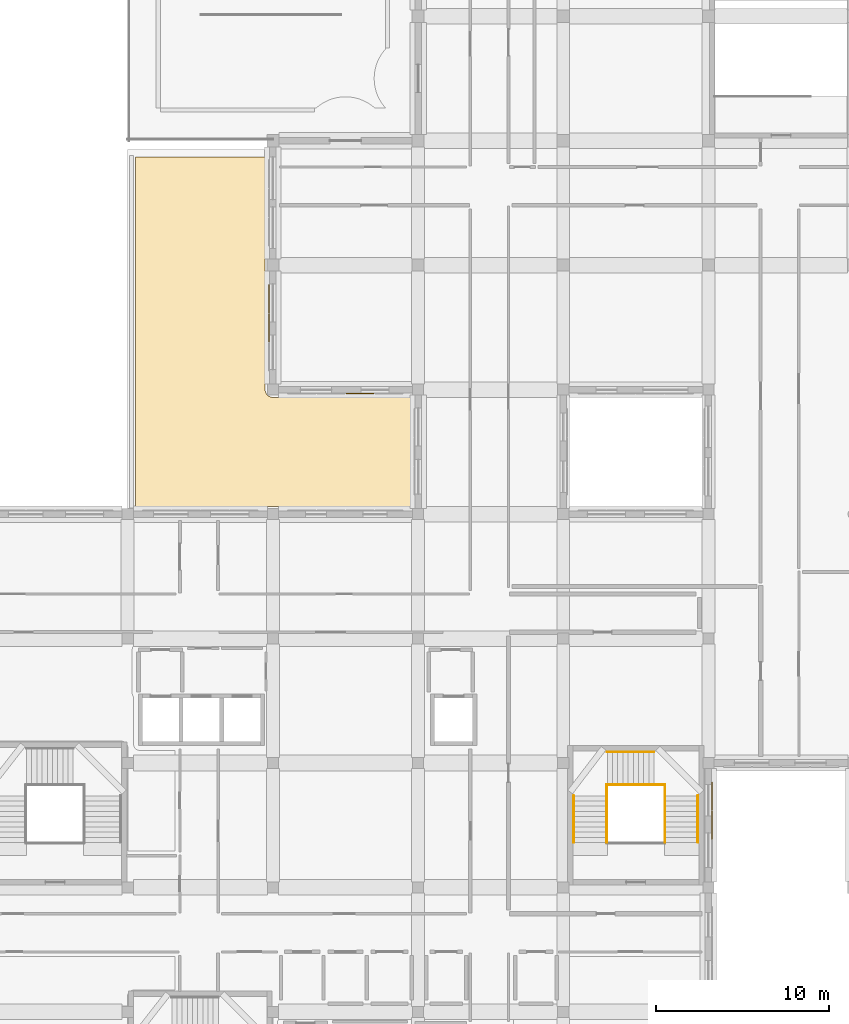
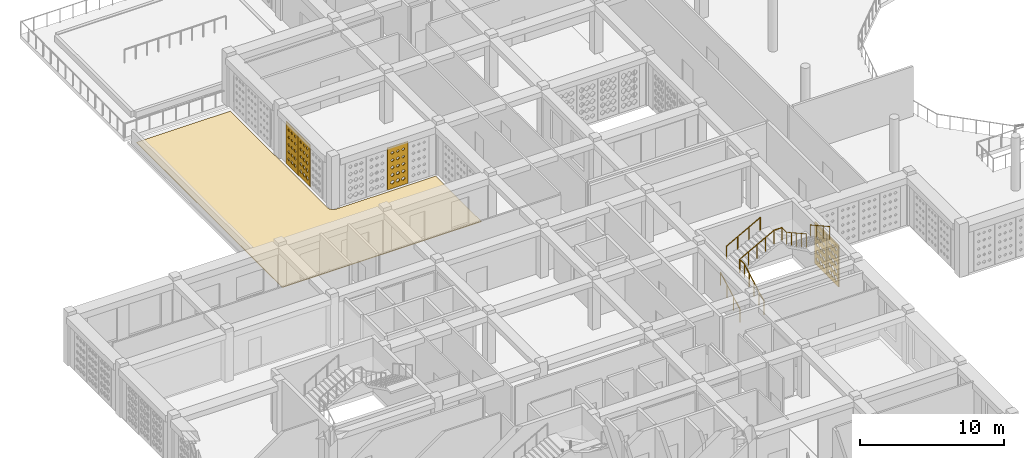
# One storey, part 30 of 47: 6 coverings, 6 railings.
"""IFC4 building model written with IfcOpenShell, lengths in metres."""

from ifc_helpers import new_model, si_unit, derived_unit, direction, frame, origin, origin_2d, place, context, subcontext, project, spatial, polyline, circle, outline, extrude, material, layer, layer_set, type_object, element, save


model = new_model("IFC4")

# Units and contexts
model_context = context("Model", 3, precision=1e-05, world=origin(), true_north=direction((0.0, 1.0)))
body_context = subcontext(model_context, "Body", "Model", "MODEL_VIEW")
ifc_project = project(units=[si_unit("LENGTHUNIT", "METRE"), si_unit("AREAUNIT", "SQUARE_METRE"), si_unit("VOLUMEUNIT", "CUBIC_METRE"), si_unit("PLANEANGLEUNIT", "RADIAN"), si_unit("MASSUNIT", "GRAM", prefix="KILO"), derived_unit("THERMALTRANSMITTANCEUNIT", [(si_unit("POWERUNIT", "WATT"), 1), (si_unit("LENGTHUNIT", "METRE"), -2), (si_unit("THERMODYNAMICTEMPERATUREUNIT", "KELVIN"), -1)])], contexts=[model_context])

# Site, building, storey
site_placement = place(None, origin())
site = spatial("IfcSite", under=ifc_project, at=site_placement, CompositionType="ELEMENT")
building_placement = place(site_placement, origin())
building = spatial("IfcBuilding", under=site, at=building_placement, Name="Veybourne Emporium", CompositionType="ELEMENT")
storey_placement = place(building_placement, frame((0.0, 0.0, 23.39990234375)))
storey = spatial("IfcBuildingStorey", under=building, at=storey_placement, Name="L05", CompositionType="ELEMENT", Elevation=23.39990234375)

# Railings
ifc_material_1 = material(Name="Brushed Stainless Steel", Category="steel")
railing_type_1 = type_object("IfcRailingType", Name="Guard_GR-01", PredefinedType="GUARDRAIL", material=ifc_material_1)
railing_1_placement = place(storey_placement, frame((44.510009765625, 31.39990234375, 0.0)))
element("IfcRailing", 1, at=railing_1_placement, inside=storey, type_object=railing_type_1, Name="L05 ST-05 stair guard 1", PredefinedType="GUARDRAIL", context=body_context, shape_type="SweptSolid", body=[
    extrude(circle(Radius=0.02392578125, at=origin_2d()), frame((0.0, 0.0, 1.1259765625), z_axis=(0.0, 0.874172188743, 0.48561608749), x_axis=(-1.0, 0.0, 0.0)), (0.0, 0.0, 1.0), 3.0888671875),
    extrude(circle(Radius=0.02392578125, at=origin_2d()), frame((0.0, 2.7001953125, 2.6259765625), z_axis=(0.0, 1.0, 0.0), x_axis=(-1.0, 0.0, 0.0)), (0.0, 0.0, 1.0), 0.639892578125),
    extrude(circle(Radius=0.02099609375, at=origin_2d()), origin(), (0.0, 0.0, 1.0), 1.101806640625),
    extrude(circle(Radius=0.02099609375, at=origin_2d()), frame((0.0, 0.675048828125, 0.375)), (0.0, 0.0, 1.0), 1.101806640625),
    extrude(circle(Radius=0.02099609375, at=origin_2d()), frame((0.0, 1.35009765625, 0.75)), (0.0, 0.0, 1.0), 1.101806640625),
    extrude(circle(Radius=0.02099609375, at=origin_2d()), frame((0.0, 2.025146484375, 1.125)), (0.0, 0.0, 1.0), 1.101806640625),
    extrude(circle(Radius=0.02099609375, at=origin_2d()), frame((0.0, 2.7001953125, 1.5)), (0.0, 0.0, 1.0), 1.101806640625),
    extrude(circle(Radius=0.02099609375, at=origin_2d()), frame((0.0, 3.340087890625, 1.5)), (0.0, 0.0, 1.0), 1.101806640625),
])
railing_2_placement = place(storey_placement, frame((44.510009765625, 34.739990234375, 1.5)))
element("IfcRailing", 2, at=railing_2_placement, inside=storey, type_object=railing_type_1, Name="L05 ST-05 stair guard 2", PredefinedType="GUARDRAIL", context=body_context, shape_type="SweptSolid", body=[
    extrude(circle(Radius=0.02392578125, at=origin_2d()), frame((0.0, 0.0, 1.1259765625), z_axis=(0.87715976088, 0.0, 0.480198660861), x_axis=(0.0, 1.0, 0.0)), (0.0, 0.0, 1.0), 3.123779296875),
    extrude(circle(Radius=0.02392578125, at=origin_2d()), frame((2.739990234375, 0.0, 2.6259765625), z_axis=(1.0, 0.0, 0.0), x_axis=(0.0, 1.0, 0.0)), (0.0, 0.0, 1.0), 0.639892578125),
    extrude(circle(Radius=0.02099609375, at=origin_2d()), origin(), (0.0, 0.0, 1.0), 1.101806640625),
    extrude(circle(Radius=0.02099609375, at=origin_2d()), frame((0.68505859375, 0.0, 0.375)), (0.0, 0.0, 1.0), 1.101806640625),
    extrude(circle(Radius=0.02099609375, at=origin_2d()), frame((1.3701171875, 0.0, 0.75)), (0.0, 0.0, 1.0), 1.101806640625),
    extrude(circle(Radius=0.02099609375, at=origin_2d()), frame((2.054931640625, 0.0, 1.125)), (0.0, 0.0, 1.0), 1.101806640625),
    extrude(circle(Radius=0.02099609375, at=origin_2d()), frame((2.739990234375, 0.0, 1.5)), (0.0, 0.0, 1.0), 1.101806640625),
    extrude(circle(Radius=0.02099609375, at=origin_2d()), frame((3.3798828125, 0.0, 1.5)), (0.0, 0.0, 1.0), 1.101806640625),
])
railing_3_placement = place(storey_placement, frame((47.889892578125, 34.739990234375, 3.0)))
element("IfcRailing", 3, at=railing_3_placement, inside=storey, type_object=railing_type_1, Name="L05 ST-05 stair guard 3", PredefinedType="GUARDRAIL", context=body_context, shape_type="SweptSolid", body=[
    extrude(circle(Radius=0.02392578125, at=origin_2d()), frame((0.0, 0.0, 1.1259765625), z_axis=(0.0, -1.0, 0.0), x_axis=(1.0, 0.0, 0.0)), (0.0, 0.0, 1.0), 0.639892578125),
    extrude(circle(Radius=0.02392578125, at=origin_2d()), frame((0.0, -0.639892578125, 1.1259765625), z_axis=(0.0, -0.874172188743, 0.48561608749), x_axis=(1.0, 0.0, 0.0)), (0.0, 0.0, 1.0), 3.0888671875),
    extrude(circle(Radius=0.02099609375, at=origin_2d()), origin(), (0.0, 0.0, 1.0), 1.101806640625),
    extrude(circle(Radius=0.02099609375, at=origin_2d()), frame((0.0, -0.639892578125, 0.0)), (0.0, 0.0, 1.0), 1.101806640625),
    extrude(circle(Radius=0.02099609375, at=origin_2d()), frame((0.0, -1.31494140625, 0.375)), (0.0, 0.0, 1.0), 1.101806640625),
    extrude(circle(Radius=0.02099609375, at=origin_2d()), frame((0.0, -1.989990234375, 0.75)), (0.0, 0.0, 1.0), 1.101806640625),
    extrude(circle(Radius=0.02099609375, at=origin_2d()), frame((0.0, -2.6650390625, 1.125)), (0.0, 0.0, 1.0), 1.101806640625),
    extrude(circle(Radius=0.02099609375, at=origin_2d()), frame((0.0, -3.340087890625, 1.5)), (0.0, 0.0, 1.0), 1.101806640625),
])
railing_type_2 = type_object("IfcRailingType", Name="Handrail_HR-01", PredefinedType="HANDRAIL", material=ifc_material_1)
railing_4_placement = place(storey_placement, frame((42.610107421875, 31.39990234375, 0.150146484375)))
element("IfcRailing", 4, at=railing_4_placement, inside=storey, type_object=railing_type_2, Name="L05 ST-05 pitch handrail 1", PredefinedType="HANDRAIL", context=body_context, shape_type="SweptSolid", body=[
    extrude(circle(Radius=0.02392578125, at=origin_2d()), frame((0.0, 0.0, 0.92578125), z_axis=(0.0, 0.874172188743, 0.48561608749), x_axis=(-1.0, 0.0, 0.0)), (0.0, 0.0, 1.0), 3.0888671875),
    extrude(circle(Radius=0.02099609375, at=origin_2d()), frame((0.0, 0.0, -0.14990234375)), (0.0, 0.0, 1.0), 1.0517578125),
    extrude(circle(Radius=0.02099609375, at=origin_2d()), frame((0.0, 0.900146484375, 0.35009765625)), (0.0, 0.0, 1.0), 1.0517578125),
    extrude(circle(Radius=0.02099609375, at=origin_2d()), frame((0.0, 1.800048828125, 0.85009765625)), (0.0, 0.0, 1.0), 1.0517578125),
    extrude(circle(Radius=0.02099609375, at=origin_2d()), frame((0.0, 2.7001953125, 1.35009765625)), (0.0, 0.0, 1.0), 1.0517578125),
])
railing_5_placement = place(storey_placement, frame((44.550048828125, 36.639892578125, 1.650146484375)))
element("IfcRailing", 5, at=railing_5_placement, inside=storey, type_object=railing_type_2, Name="L05 ST-05 pitch handrail 2", PredefinedType="HANDRAIL", context=body_context, shape_type="SweptSolid", body=[
    extrude(circle(Radius=0.02392578125, at=origin_2d()), frame((0.0, 0.0, 0.92578125), z_axis=(0.87415354758, 0.0, 0.485649642493), x_axis=(0.0, 1.0, 0.0)), (0.0, 0.0, 1.0), 3.088623046875),
    extrude(circle(Radius=0.02099609375, at=origin_2d()), frame((0.0, 0.0, -0.14990234375)), (0.0, 0.0, 1.0), 1.0517578125),
    extrude(circle(Radius=0.02099609375, at=origin_2d()), frame((0.89990234375, 0.0, 0.35009765625)), (0.0, 0.0, 1.0), 1.0517578125),
    extrude(circle(Radius=0.02099609375, at=origin_2d()), frame((1.800048828125, 0.0, 0.85009765625)), (0.0, 0.0, 1.0), 1.0517578125),
    extrude(circle(Radius=0.02099609375, at=origin_2d()), frame((2.699951171875, 0.0, 1.35009765625)), (0.0, 0.0, 1.0), 1.0517578125),
])
railing_6_placement = place(storey_placement, frame((49.7900390625, 34.10009765625, 3.150146484375)))
element("IfcRailing", 6, at=railing_6_placement, inside=storey, type_object=railing_type_2, Name="L05 ST-05 pitch handrail 3", PredefinedType="HANDRAIL", context=body_context, shape_type="SweptSolid", body=[
    extrude(circle(Radius=0.02392578125, at=origin_2d()), frame((0.0, 0.0, 0.92578125), z_axis=(0.0, -0.874172188743, 0.48561608749), x_axis=(1.0, 0.0, 0.0)), (0.0, 0.0, 1.0), 3.0888671875),
    extrude(circle(Radius=0.02099609375, at=origin_2d()), frame((0.0, 0.0, -0.14990234375)), (0.0, 0.0, 1.0), 1.0517578125),
    extrude(circle(Radius=0.02099609375, at=origin_2d()), frame((0.0, -0.900146484375, 0.35009765625)), (0.0, 0.0, 1.0), 1.0517578125),
    extrude(circle(Radius=0.02099609375, at=origin_2d()), frame((0.0, -1.800048828125, 0.85009765625)), (0.0, 0.0, 1.0), 1.0517578125),
    extrude(circle(Radius=0.02099609375, at=origin_2d()), frame((0.0, -2.7001953125, 1.35009765625)), (0.0, 0.0, 1.0), 1.0517578125),
])

# Coverings
ifc_material_2 = material(Name="Single-Ply Warm Roof Membrane", Category="membrane")
ifc_layer_1 = layer(ifc_material_2, 0.06005859375)
ifc_layer_set_1 = layer_set([ifc_layer_1], Name="Single-Ply Warm Roof Membrane")
covering_type_1 = type_object("IfcCoveringType", Name="Roofing_RFG-01", PredefinedType="ROOFING", material=ifc_layer_set_1)
covering_1_placement = place(storey_placement, origin())
element("IfcCovering", 7, at=covering_1_placement, inside=storey, type_object=covering_type_1, Name="L05 warm-roof waterproofing membrane 1.1", PredefinedType="ROOFING", context=body_context, shape_type="SweptSolid", body=[
    extrude(outline(polyline([(24.75, 57.60009765625), (24.752197265625, 57.555908203125), (24.758544921875, 57.51220703125), (24.769287109375, 57.469482421875), (24.7841796875, 57.427734375), (24.80322265625, 57.387939453125), (24.825927734375, 57.35009765625), (24.85205078125, 57.314453125), (24.8818359375, 57.28173828125), (24.91455078125, 57.252197265625), (24.949951171875, 57.225830078125), (24.98779296875, 57.203125), (25.02783203125, 57.184326171875), (25.0693359375, 57.16943359375), (25.1123046875, 57.15869140625), (25.156005859375, 57.152099609375), (25.199951171875, 57.14990234375), (33.14990234375, 57.14990234375), (33.14990234375, 50.85009765625), (17.25, 50.85009765625), (17.25, 71.050048828125), (24.75, 71.050048828125), (24.75, 57.60009765625)])), origin(), (0.0, 0.0, 1.0), 0.06005859375),
])
ifc_material_3 = material(Name="Warm-White Perforated Aluminium Screen Alloy", Category="aluminium")
ifc_layer_2 = layer(ifc_material_3, 0.06005859375)
ifc_layer_set_2 = layer_set([ifc_layer_2], Name="Warm-White Perforated Aluminium Screen Alloy")
covering_type_2 = type_object("IfcCoveringType", Name="WaveScreen_SCR-01", PredefinedType="CLADDING", material=ifc_layer_set_2)
covering_2_placement = place(storey_placement, frame((24.951904296875, 61.1875, 1.830078125), z_axis=(1.0, 0.0, 0.0), x_axis=(0.0, 1.0, 0.0)))
element("IfcCovering", 8, at=covering_2_placement, inside=storey, type_object=covering_type_2, Name="L05 wave-perforated aluminium screen SCR-01 (17.2)", PredefinedType="CLADDING", context=body_context, shape_type="SweptSolid", body=[
    extrude(outline(polyline([(-0.81982421875, -1.77001953125), (0.81982421875, -1.77001953125), (0.81982421875, 1.77001953125), (-0.81982421875, 1.77001953125), (-0.81982421875, -1.77001953125)]), holes=[polyline([(-0.433349609375, -1.060546875), (-0.276611328125, -1.17529296875), (-0.276611328125, -1.3046875), (-0.433349609375, -1.41943359375), (-0.590087890625, -1.3046875), (-0.590087890625, -1.17529296875), (-0.433349609375, -1.060546875)]), polyline([(-0.433349609375, -0.454345703125), (-0.287841796875, -0.560302734375), (-0.287841796875, -0.6796875), (-0.433349609375, -0.78564453125), (-0.578857421875, -0.6796875), (-0.578857421875, -0.560302734375), (-0.433349609375, -0.454345703125)]), polyline([(-0.433349609375, 0.152587890625), (-0.298583984375, 0.054931640625), (-0.298583984375, -0.054931640625), (-0.433349609375, -0.152587890625), (-0.568115234375, -0.054931640625), (-0.568115234375, 0.054931640625), (-0.433349609375, 0.152587890625)]), polyline([(-0.433349609375, 0.7607421875), (-0.30810546875, 0.670654296875), (-0.30810546875, 0.5693359375), (-0.433349609375, 0.479248046875), (-0.558349609375, 0.5693359375), (-0.558349609375, 0.670654296875), (-0.433349609375, 0.7607421875)]), polyline([(-0.433349609375, 1.370361328125), (-0.316650390625, 1.286865234375), (-0.316650390625, 1.193115234375), (-0.433349609375, 1.109619140625), (-0.550048828125, 1.193115234375), (-0.550048828125, 1.286865234375), (-0.433349609375, 1.370361328125)]), polyline([(0.0, -1.06689453125), (0.151611328125, -1.177734375), (0.151611328125, -1.30224609375), (0.0, -1.4130859375), (-0.151611328125, -1.30224609375), (-0.151611328125, -1.177734375), (0.0, -1.06689453125)]), polyline([(0.0, -0.46044921875), (0.140625, -0.5625), (0.140625, -0.677490234375), (0.0, -0.779541015625), (-0.140625, -0.677490234375), (-0.140625, -0.5625), (0.0, -0.46044921875)]), polyline([(0.0, 0.14697265625), (0.13037109375, 0.052978515625), (0.13037109375, -0.052978515625), (0.0, -0.14697265625), (-0.13037109375, -0.052978515625), (-0.13037109375, 0.052978515625), (0.0, 0.14697265625)]), polyline([(0.0, 0.755859375), (0.12109375, 0.6689453125), (0.12109375, 0.571044921875), (0.0, 0.484130859375), (-0.12109375, 0.571044921875), (-0.12109375, 0.6689453125), (0.0, 0.755859375)]), polyline([(0.0, 1.3662109375), (0.11328125, 1.285400390625), (0.11328125, 1.194580078125), (0.0, 1.11376953125), (-0.11328125, 1.194580078125), (-0.11328125, 1.285400390625), (0.0, 1.3662109375)]), polyline([(0.433349609375, -1.072998046875), (0.579833984375, -1.179931640625), (0.579833984375, -1.300048828125), (0.433349609375, -1.406982421875), (0.28662109375, -1.300048828125), (0.28662109375, -1.179931640625), (0.433349609375, -1.072998046875)]), polyline([(0.433349609375, -0.46630859375), (0.569091796875, -0.564697265625), (0.569091796875, -0.67529296875), (0.433349609375, -0.773681640625), (0.297607421875, -0.67529296875), (0.297607421875, -0.564697265625), (0.433349609375, -0.46630859375)]), polyline([(0.433349609375, 0.141845703125), (0.559326171875, 0.051025390625), (0.559326171875, -0.051025390625), (0.433349609375, -0.141845703125), (0.307373046875, -0.051025390625), (0.307373046875, 0.051025390625), (0.433349609375, 0.141845703125)]), polyline([(0.433349609375, 0.751220703125), (0.55078125, 0.667236328125), (0.55078125, 0.57275390625), (0.433349609375, 0.48876953125), (0.31591796875, 0.57275390625), (0.31591796875, 0.667236328125), (0.433349609375, 0.751220703125)]), polyline([(0.433349609375, 1.36279296875), (0.543701171875, 1.2841796875), (0.543701171875, 1.19580078125), (0.433349609375, 1.1171875), (0.322998046875, 1.19580078125), (0.322998046875, 1.2841796875), (0.433349609375, 1.36279296875)])]), origin(), (0.0, 0.0, 1.0), 0.06005859375),
])
ifc_layer_3 = layer(ifc_material_3, 0.06005859375)
ifc_layer_set_3 = layer_set([ifc_layer_3], Name="Warm-White Perforated Aluminium Screen Alloy")
covering_type_3 = type_object("IfcCoveringType", Name="WaveScreen_SCR-02", PredefinedType="CLADDING", material=ifc_layer_set_3)
covering_3_placement = place(storey_placement, frame((24.951904296875, 62.867431640625, 1.830078125), z_axis=(1.0, 0.0, 0.0), x_axis=(0.0, 1.0, 0.0)))
element("IfcCovering", 9, at=covering_3_placement, inside=storey, type_object=covering_type_3, Name="L05 wave-perforated aluminium screen SCR-02 (17.3)", PredefinedType="CLADDING", context=body_context, shape_type="SweptSolid", body=[
    extrude(outline(polyline([(-0.81982421875, -1.77001953125), (0.81982421875, -1.77001953125), (0.81982421875, 1.77001953125), (-0.81982421875, 1.77001953125), (-0.81982421875, -1.77001953125)]), holes=[polyline([(-0.433349609375, -1.084228515625), (-0.2958984375, -1.183837890625), (-0.2958984375, -1.296142578125), (-0.433349609375, -1.395751953125), (-0.57080078125, -1.296142578125), (-0.57080078125, -1.183837890625), (-0.433349609375, -1.084228515625)]), polyline([(-0.433349609375, -0.476318359375), (-0.305908203125, -0.568359375), (-0.305908203125, -0.671630859375), (-0.433349609375, -0.763671875), (-0.560791015625, -0.671630859375), (-0.560791015625, -0.568359375), (-0.433349609375, -0.476318359375)]), polyline([(-0.433349609375, 0.1328125), (-0.314697265625, 0.0478515625), (-0.314697265625, -0.0478515625), (-0.433349609375, -0.1328125), (-0.552001953125, -0.0478515625), (-0.552001953125, 0.0478515625), (-0.433349609375, 0.1328125)]), polyline([(-0.433349609375, 0.743896484375), (-0.322021484375, 0.66455078125), (-0.322021484375, 0.575439453125), (-0.433349609375, 0.49609375), (-0.544677734375, 0.575439453125), (-0.544677734375, 0.66455078125), (-0.433349609375, 0.743896484375)]), polyline([(-0.433349609375, 1.35693359375), (-0.32763671875, 1.281982421875), (-0.32763671875, 1.197998046875), (-0.433349609375, 1.123046875), (-0.5390625, 1.197998046875), (-0.5390625, 1.281982421875), (-0.433349609375, 1.35693359375)]), polyline([(0.0, -1.08984375), (0.1328125, -1.185791015625), (0.1328125, -1.294189453125), (0.0, -1.39013671875), (-0.1328125, -1.294189453125), (-0.1328125, -1.185791015625), (0.0, -1.08984375)]), polyline([(0.0, -0.4814453125), (0.123291015625, -0.570068359375), (0.123291015625, -0.669921875), (0.0, -0.758544921875), (-0.123291015625, -0.669921875), (-0.123291015625, -0.570068359375), (0.0, -0.4814453125)]), polyline([(0.0, 0.128662109375), (0.115234375, 0.04638671875), (0.115234375, -0.04638671875), (0.0, -0.128662109375), (-0.115234375, -0.04638671875), (-0.115234375, 0.04638671875), (0.0, 0.128662109375)]), polyline([(0.0, 0.740478515625), (0.108642578125, 0.663330078125), (0.108642578125, 0.57666015625), (0.0, 0.49951171875), (-0.108642578125, 0.57666015625), (-0.108642578125, 0.663330078125), (0.0, 0.740478515625)]), polyline([(0.0, 1.354736328125), (0.103759765625, 1.28125), (0.103759765625, 1.19873046875), (0.0, 1.125244140625), (-0.103759765625, 1.19873046875), (-0.103759765625, 1.28125), (0.0, 1.354736328125)]), polyline([(0.433349609375, -1.09521484375), (0.561767578125, -1.18798828125), (0.561767578125, -1.2919921875), (0.433349609375, -1.384765625), (0.304931640625, -1.2919921875), (0.304931640625, -1.18798828125), (0.433349609375, -1.09521484375)]), polyline([(0.433349609375, -0.486083984375), (0.552978515625, -0.57177734375), (0.552978515625, -0.668212890625), (0.433349609375, -0.75390625), (0.313720703125, -0.668212890625), (0.313720703125, -0.57177734375), (0.433349609375, -0.486083984375)]), polyline([(0.433349609375, 0.124755859375), (0.54541015625, 0.044921875), (0.54541015625, -0.044921875), (0.433349609375, -0.124755859375), (0.3212890625, -0.044921875), (0.3212890625, 0.044921875), (0.433349609375, 0.124755859375)]), polyline([(0.433349609375, 0.737548828125), (0.53955078125, 0.662353515625), (0.53955078125, 0.57763671875), (0.433349609375, 0.50244140625), (0.3271484375, 0.57763671875), (0.3271484375, 0.662353515625), (0.433349609375, 0.737548828125)]), polyline([(0.433349609375, 1.352783203125), (0.53564453125, 1.280517578125), (0.53564453125, 1.199462890625), (0.433349609375, 1.127197265625), (0.3310546875, 1.199462890625), (0.3310546875, 1.280517578125), (0.433349609375, 1.352783203125)])]), origin(), (0.0, 0.0, 1.0), 0.06005859375),
])
covering_4_placement = place(storey_placement, frame((50.64794921875, 34.080078125, 1.830078125), z_axis=(-1.0, 0.0, 0.0), x_axis=(0.0, -1.0, 0.0)))
element("IfcCovering", 10, at=covering_4_placement, inside=storey, type_object=covering_type_3, Name="L05 wave-perforated aluminium screen SCR-02 (31.1)", PredefinedType="CLADDING", context=body_context, shape_type="SweptSolid", body=[
    extrude(outline(polyline([(-0.81982421875, -1.77001953125), (0.81982421875, -1.77001953125), (0.81982421875, 1.77001953125), (-0.81982421875, 1.77001953125), (-0.81982421875, -1.77001953125)]), holes=[polyline([(-0.433349609375, -1.051513671875), (-0.269287109375, -1.172119140625), (-0.269287109375, -1.307861328125), (-0.433349609375, -1.428466796875), (-0.597412109375, -1.307861328125), (-0.597412109375, -1.172119140625), (-0.433349609375, -1.051513671875)]), polyline([(-0.433349609375, -0.44580078125), (-0.28076171875, -0.557373046875), (-0.28076171875, -0.6826171875), (-0.433349609375, -0.794189453125), (-0.5859375, -0.6826171875), (-0.5859375, -0.557373046875), (-0.433349609375, -0.44580078125)]), polyline([(-0.433349609375, 0.16064453125), (-0.2919921875, 0.057861328125), (-0.2919921875, -0.057861328125), (-0.433349609375, -0.16064453125), (-0.57470703125, -0.057861328125), (-0.57470703125, 0.057861328125), (-0.433349609375, 0.16064453125)]), polyline([(-0.433349609375, 0.767822265625), (-0.30224609375, 0.67333984375), (-0.30224609375, 0.566650390625), (-0.433349609375, 0.47216796875), (-0.564453125, 0.566650390625), (-0.564453125, 0.67333984375), (-0.433349609375, 0.767822265625)]), polyline([(-0.433349609375, 1.376708984375), (-0.3115234375, 1.289306640625), (-0.3115234375, 1.19091796875), (-0.433349609375, 1.103515625), (-0.55517578125, 1.19091796875), (-0.55517578125, 1.289306640625), (-0.433349609375, 1.376708984375)]), polyline([(0.0, -1.045166015625), (0.16943359375, -1.169921875), (0.16943359375, -1.31005859375), (0.0, -1.434814453125), (-0.16943359375, -1.31005859375), (-0.16943359375, -1.169921875), (0.0, -1.045166015625)]), polyline([(0.0, -0.439453125), (0.15771484375, -0.554931640625), (0.15771484375, -0.68505859375), (0.0, -0.800537109375), (-0.15771484375, -0.68505859375), (-0.15771484375, -0.554931640625), (0.0, -0.439453125)]), polyline([(0.0, 0.16650390625), (0.146240234375, 0.06005859375), (0.146240234375, -0.06005859375), (0.0, -0.16650390625), (-0.146240234375, -0.06005859375), (-0.146240234375, 0.06005859375), (0.0, 0.16650390625)]), polyline([(0.0, 0.7734375), (0.135498046875, 0.67529296875), (0.135498046875, 0.564697265625), (0.0, 0.466552734375), (-0.135498046875, 0.564697265625), (-0.135498046875, 0.67529296875), (0.0, 0.7734375)]), polyline([(0.0, 1.381591796875), (0.125732421875, 1.291015625), (0.125732421875, 1.189208984375), (0.0, 1.098388671875), (-0.125732421875, 1.189208984375), (-0.125732421875, 1.291015625), (0.0, 1.381591796875)]), polyline([(0.433349609375, -1.038818359375), (0.60791015625, -1.16748046875), (0.60791015625, -1.3125), (0.433349609375, -1.44140625), (0.2587890625, -1.3125), (0.2587890625, -1.16748046875), (0.433349609375, -1.038818359375)]), polyline([(0.433349609375, -0.43310546875), (0.59619140625, -0.552734375), (0.59619140625, -0.687255859375), (0.433349609375, -0.806884765625), (0.2705078125, -0.687255859375), (0.2705078125, -0.552734375), (0.433349609375, -0.43310546875)]), polyline([(0.433349609375, 0.1728515625), (0.584716796875, 0.062255859375), (0.584716796875, -0.062255859375), (0.433349609375, -0.1728515625), (0.281982421875, -0.062255859375), (0.281982421875, 0.062255859375), (0.433349609375, 0.1728515625)]), polyline([(0.433349609375, 0.779296875), (0.573486328125, 0.67724609375), (0.573486328125, 0.562744140625), (0.433349609375, 0.460693359375), (0.29296875, 0.562744140625), (0.29296875, 0.67724609375), (0.433349609375, 0.779296875)]), polyline([(0.433349609375, 1.38671875), (0.5634765625, 1.292724609375), (0.5634765625, 1.187255859375), (0.433349609375, 1.09326171875), (0.30322265625, 1.187255859375), (0.30322265625, 1.292724609375), (0.433349609375, 1.38671875)])]), origin(), (0.0, 0.0, 1.0), 0.06005859375),
])
ifc_layer_4 = layer(ifc_material_3, 0.06005859375)
ifc_layer_set_4 = layer_set([ifc_layer_4], Name="Warm-White Perforated Aluminium Screen Alloy")
covering_type_4 = type_object("IfcCoveringType", Name="WaveScreen_SCR-03", PredefinedType="CLADDING", material=ifc_layer_set_4)
covering_5_placement = place(storey_placement, frame((50.64794921875, 32.39990234375, 1.830078125), z_axis=(-1.0, 0.0, 0.0), x_axis=(0.0, -1.0, 0.0)))
element("IfcCovering", 11, at=covering_5_placement, inside=storey, type_object=covering_type_4, Name="L05 wave-perforated aluminium screen SCR-03 (31.2)", PredefinedType="CLADDING", context=body_context, shape_type="SweptSolid", body=[
    extrude(outline(polyline([(-0.81982421875, -1.77001953125), (0.81982421875, -1.77001953125), (0.81982421875, 1.77001953125), (-0.81982421875, 1.77001953125), (-0.81982421875, -1.77001953125)]), holes=[polyline([(-0.433349609375, -1.02685546875), (-0.2490234375, -1.163330078125), (-0.2490234375, -1.316650390625), (-0.433349609375, -1.453125), (-0.61767578125, -1.316650390625), (-0.61767578125, -1.163330078125), (-0.433349609375, -1.02685546875)]), polyline([(-0.433349609375, -0.4208984375), (-0.260498046875, -0.54833984375), (-0.260498046875, -0.691650390625), (-0.433349609375, -0.819091796875), (-0.606201171875, -0.691650390625), (-0.606201171875, -0.54833984375), (-0.433349609375, -0.4208984375)]), polyline([(-0.433349609375, 0.184814453125), (-0.272216796875, 0.06640625), (-0.272216796875, -0.06640625), (-0.433349609375, -0.184814453125), (-0.594482421875, -0.06640625), (-0.594482421875, 0.06640625), (-0.433349609375, 0.184814453125)]), polyline([(-0.433349609375, 0.79052734375), (-0.28369140625, 0.681396484375), (-0.28369140625, 0.55859375), (-0.433349609375, 0.449462890625), (-0.5830078125, 0.55859375), (-0.5830078125, 0.681396484375), (-0.433349609375, 0.79052734375)]), polyline([(-0.433349609375, 1.397216796875), (-0.294677734375, 1.296630859375), (-0.294677734375, 1.183349609375), (-0.433349609375, 1.082763671875), (-0.572021484375, 1.183349609375), (-0.572021484375, 1.296630859375), (-0.433349609375, 1.397216796875)]), polyline([(0.0, -1.020751953125), (0.186279296875, -1.1611328125), (0.186279296875, -1.31884765625), (0.0, -1.459228515625), (-0.186279296875, -1.31884765625), (-0.186279296875, -1.1611328125), (0.0, -1.020751953125)]), polyline([(0.0, -0.41455078125), (0.177978515625, -0.546142578125), (0.177978515625, -0.69384765625), (0.0, -0.825439453125), (-0.177978515625, -0.69384765625), (-0.177978515625, -0.546142578125), (0.0, -0.41455078125)]), polyline([(0.0, 0.191162109375), (0.16650390625, 0.06884765625), (0.16650390625, -0.06884765625), (0.0, -0.191162109375), (-0.16650390625, -0.06884765625), (-0.16650390625, 0.06884765625), (0.0, 0.191162109375)]), polyline([(0.0, 0.796875), (0.15478515625, 0.68359375), (0.15478515625, 0.556396484375), (0.0, 0.443115234375), (-0.15478515625, 0.556396484375), (-0.15478515625, 0.68359375), (0.0, 0.796875)]), polyline([(0.0, 1.4033203125), (0.1435546875, 1.298583984375), (0.1435546875, 1.181396484375), (0.0, 1.076904296875), (-0.1435546875, 1.181396484375), (-0.1435546875, 1.298583984375), (0.0, 1.4033203125)]), polyline([(0.433349609375, -1.0146484375), (0.61962890625, -1.158935546875), (0.61962890625, -1.321044921875), (0.433349609375, -1.46533203125), (0.2470703125, -1.321044921875), (0.2470703125, -1.158935546875), (0.433349609375, -1.0146484375)]), polyline([(0.433349609375, -0.408203125), (0.61669921875, -0.543701171875), (0.61669921875, -0.6962890625), (0.433349609375, -0.831787109375), (0.25, -0.6962890625), (0.25, -0.543701171875), (0.433349609375, -0.408203125)]), polyline([(0.433349609375, 0.197509765625), (0.60498046875, 0.071044921875), (0.60498046875, -0.071044921875), (0.433349609375, -0.197509765625), (0.26171875, -0.071044921875), (0.26171875, 0.071044921875), (0.433349609375, 0.197509765625)]), polyline([(0.433349609375, 0.80322265625), (0.59326171875, 0.68603515625), (0.59326171875, 0.553955078125), (0.433349609375, 0.436767578125), (0.2734375, 0.553955078125), (0.2734375, 0.68603515625), (0.433349609375, 0.80322265625)]), polyline([(0.433349609375, 1.4091796875), (0.581787109375, 1.30078125), (0.581787109375, 1.17919921875), (0.433349609375, 1.07080078125), (0.284912109375, 1.17919921875), (0.284912109375, 1.30078125), (0.433349609375, 1.4091796875)])]), origin(), (0.0, 0.0, 1.0), 0.06005859375),
])
ifc_layer_5 = layer(ifc_material_3, 0.06005859375)
ifc_layer_set_5 = layer_set([ifc_layer_5], Name="Warm-White Perforated Aluminium Screen Alloy")
covering_type_5 = type_object("IfcCoveringType", Name="WaveScreen_SCR-04", PredefinedType="CLADDING", material=ifc_layer_set_5)
covering_6_placement = place(storey_placement, frame((30.239990234375, 57.35205078125, 1.830078125), z_axis=(0.0, 1.0, 0.0), x_axis=(-1.0, 0.0, 0.0)))
element("IfcCovering", 12, at=covering_6_placement, inside=storey, type_object=covering_type_5, Name="L05 wave-perforated aluminium screen SCR-04 (16.2)", PredefinedType="CLADDING", context=body_context, shape_type="SweptSolid", body=[
    extrude(outline(polyline([(-0.81982421875, -1.77001953125), (0.81982421875, -1.77001953125), (0.81982421875, 1.77001953125), (-0.81982421875, 1.77001953125), (-0.81982421875, -1.77001953125)]), holes=[polyline([(-0.433349609375, -1.09228515625), (-0.302490234375, -1.18701171875), (-0.302490234375, -1.293212890625), (-0.433349609375, -1.3876953125), (-0.564208984375, -1.293212890625), (-0.564208984375, -1.18701171875), (-0.433349609375, -1.09228515625)]), polyline([(-0.433349609375, -0.483642578125), (-0.311767578125, -0.57080078125), (-0.311767578125, -0.669189453125), (-0.433349609375, -0.75634765625), (-0.5546875, -0.669189453125), (-0.5546875, -0.57080078125), (-0.433349609375, -0.483642578125)]), polyline([(-0.433349609375, 0.126708984375), (-0.319580078125, 0.045654296875), (-0.319580078125, -0.045654296875), (-0.433349609375, -0.126708984375), (-0.547119140625, -0.045654296875), (-0.547119140625, 0.045654296875), (-0.433349609375, 0.126708984375)]), polyline([(-0.433349609375, 0.739013671875), (-0.325927734375, 0.662841796875), (-0.325927734375, 0.5771484375), (-0.433349609375, 0.5009765625), (-0.540771484375, 0.5771484375), (-0.540771484375, 0.662841796875), (-0.433349609375, 0.739013671875)]), polyline([(-0.433349609375, 1.353759765625), (-0.330322265625, 1.281005859375), (-0.330322265625, 1.19921875), (-0.433349609375, 1.126220703125), (-0.536376953125, 1.19921875), (-0.536376953125, 1.281005859375), (-0.433349609375, 1.353759765625)]), polyline([(0.0, -1.0869140625), (0.13525390625, -1.184814453125), (0.13525390625, -1.295166015625), (0.0, -1.39306640625), (-0.13525390625, -1.295166015625), (-0.13525390625, -1.184814453125), (0.0, -1.0869140625)]), polyline([(0.0, -0.478759765625), (0.12548828125, -0.569091796875), (0.12548828125, -0.6708984375), (0.0, -0.76123046875), (-0.12548828125, -0.6708984375), (-0.12548828125, -0.569091796875), (0.0, -0.478759765625)]), polyline([(0.0, 0.130859375), (0.116943359375, 0.047119140625), (0.116943359375, -0.047119140625), (0.0, -0.130859375), (-0.116943359375, -0.047119140625), (-0.116943359375, 0.047119140625), (0.0, 0.130859375)]), polyline([(0.0, 0.7421875), (0.110107421875, 0.6640625), (0.110107421875, 0.575927734375), (0.0, 0.497802734375), (-0.110107421875, 0.575927734375), (-0.110107421875, 0.6640625), (0.0, 0.7421875)]), polyline([(0.0, 1.355712890625), (0.104736328125, 1.28173828125), (0.104736328125, 1.1982421875), (0.0, 1.124267578125), (-0.104736328125, 1.1982421875), (-0.104736328125, 1.28173828125), (0.0, 1.355712890625)]), polyline([(0.433349609375, -1.0810546875), (0.5732421875, -1.182861328125), (0.5732421875, -1.297119140625), (0.433349609375, -1.39892578125), (0.29345703125, -1.297119140625), (0.29345703125, -1.182861328125), (0.433349609375, -1.0810546875)]), polyline([(0.433349609375, -0.4736328125), (0.56298828125, -0.5673828125), (0.56298828125, -0.672607421875), (0.433349609375, -0.766357421875), (0.3037109375, -0.672607421875), (0.3037109375, -0.5673828125), (0.433349609375, -0.4736328125)]), polyline([(0.433349609375, 0.13525390625), (0.553955078125, 0.048583984375), (0.553955078125, -0.048583984375), (0.433349609375, -0.13525390625), (0.312744140625, -0.048583984375), (0.312744140625, 0.048583984375), (0.433349609375, 0.13525390625)]), polyline([(0.433349609375, 0.745849609375), (0.54638671875, 0.665283203125), (0.54638671875, 0.57470703125), (0.433349609375, 0.494140625), (0.3203125, 0.57470703125), (0.3203125, 0.665283203125), (0.433349609375, 0.745849609375)]), polyline([(0.433349609375, 1.3583984375), (0.540283203125, 1.28271484375), (0.540283203125, 1.197509765625), (0.433349609375, 1.12158203125), (0.326416015625, 1.197509765625), (0.326416015625, 1.28271484375), (0.433349609375, 1.3583984375)])]), origin(), (0.0, 0.0, 1.0), 0.06005859375),
])

save(model, "model.ifc")
